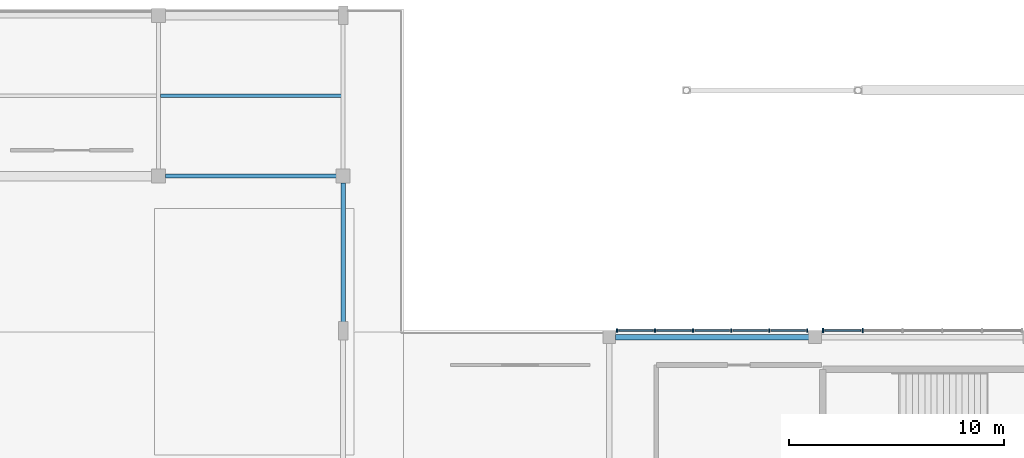
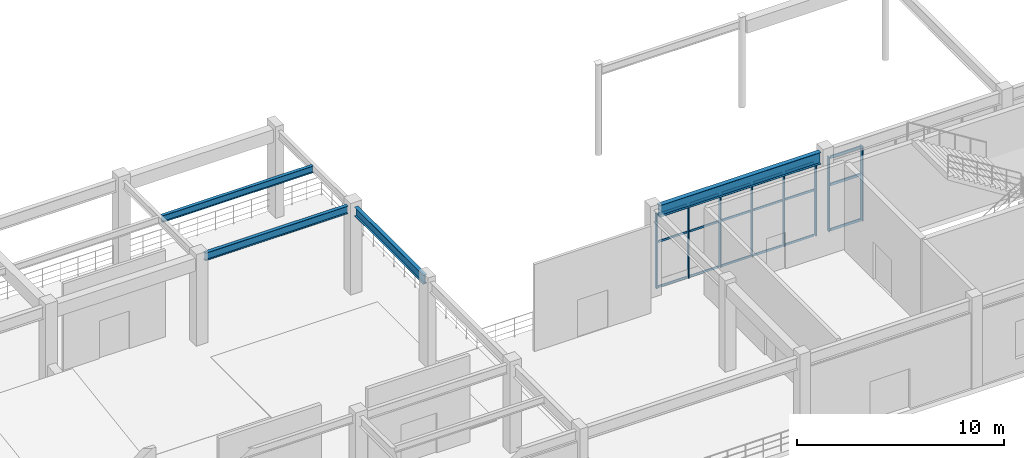
# One storey, part 19 of 93: 26 members, 4 beams, 2 elements without a shape of their own.
"""IFC4 building model written with IfcOpenShell, lengths in metres."""

from ifc_helpers import new_model, si_unit, direction, frame, origin, origin_2d, place, context, subcontext, project, spatial, rectangle, i_section, extrude, material, material_profile, profile_set, type_object, element, aggregate, save


model = new_model("IFC4")

# Units and contexts
model_context = context("Model", 3, precision=1e-05, world=origin(), true_north=direction((0.0, 1.0)))
body_context = subcontext(model_context, "Body", "Model", "MODEL_VIEW")
ifc_project = project(units=[si_unit("LENGTHUNIT", "METRE"), si_unit("AREAUNIT", "SQUARE_METRE"), si_unit("VOLUMEUNIT", "CUBIC_METRE"), si_unit("PLANEANGLEUNIT", "RADIAN"), si_unit("MASSUNIT", "GRAM", prefix="KILO")], contexts=[model_context])

# Site, building, storey
site_placement = place(None, origin())
site = spatial("IfcSite", under=ifc_project, at=site_placement, CompositionType="ELEMENT")
building_placement = place(site_placement, origin())
building = spatial("IfcBuilding", under=site, at=building_placement, Name="Cinderbank Siding Concert Hall", CompositionType="ELEMENT")
storey_placement = place(building_placement, origin())
storey = spatial("IfcBuildingStorey", under=building, at=storey_placement, Name="L01", CompositionType="ELEMENT", Elevation=0.0)

# Beams
ifc_material_1 = material(Name="Structural steel AS/NZS 3679.1 Grade 350 (340 MPa)", Category="steel")
ifc_material_profile_1 = material_profile(ifc_material_1, i_section(OverallWidth=0.18994140625, OverallDepth=0.45751953125, WebThickness=0.009033203125, FlangeThickness=0.014404296875, at=origin_2d()), Name="460UB74.6", Category="LoadBearing")
ifc_profile_set_1 = profile_set([ifc_material_profile_1], Name="Structural steel AS/NZS 3679.1 Grade 350 (340 MPa)")
beam_type_1 = type_object("IfcBeamType", Name="BM-UB460 460UB74.6", PredefinedType="BEAM", material=ifc_profile_set_1)
beam_1_placement = place(storey_placement, frame((37.717041015625, 28.0, 4.893310546875), z_axis=(1.0, 0.0, 0.0), x_axis=(0.0, 1.0, 0.0)))
element("IfcBeam", 1, at=beam_1_placement, inside=storey, type_object=beam_type_1, Name="L01 Beam BM-UB460 #1306", PredefinedType="BEAM", context=body_context, shape_type="SweptSolid", body=[
    extrude(i_section(OverallWidth=0.18994140625, OverallDepth=0.45751953125, WebThickness=0.009033203125, FlangeThickness=0.014404296875, at=origin_2d()), origin(), (0.0, 0.0, 1.0), 7.966064453125),
])
ifc_material_profile_2 = material_profile(ifc_material_1, i_section(OverallWidth=0.208984375, OverallDepth=0.5283203125, WebThickness=0.009521484375, FlangeThickness=0.01318359375, at=origin_2d()), Name="530UB82.0", Category="LoadBearing")
ifc_profile_set_2 = profile_set([ifc_material_profile_2], Name="Structural steel AS/NZS 3679.1 Grade 350 (340 MPa)")
beam_type_2 = type_object("IfcBeamType", Name="BM-UB530 530UB82.0", PredefinedType="BEAM", material=ifc_profile_set_2)
beam_2_placement = place(storey_placement, frame((46.0, 21.01708984375, 4.85791015625), z_axis=(0.0, 1.0, 0.0), x_axis=(-1.0, 0.0, 0.0)))
element("IfcBeam", 2, at=beam_2_placement, inside=storey, type_object=beam_type_2, Name="L01 Beam BM-UB530 #1312", PredefinedType="BEAM", context=body_context, shape_type="SweptSolid", body=[
    extrude(i_section(OverallWidth=0.208984375, OverallDepth=0.5283203125, WebThickness=0.009521484375, FlangeThickness=0.01318359375, at=origin_2d()), origin(), (0.0, 0.0, 1.0), 6.666015625),
])
ifc_material_2 = material(Name="Structural steel welded plate section AS/NZS 3679.2 / AS/NZS 3678 Grade 350 (340 MPa)", Category="steel")
ifc_material_profile_3 = material_profile(ifc_material_2, i_section(OverallWidth=0.25, OverallDepth=0.699951171875, WebThickness=0.010009765625, FlangeThickness=0.01611328125, at=origin_2d()), Name="700WB130", Category="LoadBearing")
ifc_profile_set_3 = profile_set([ifc_material_profile_3], Name="Structural steel welded plate section AS/NZS 3679.2 / AS/NZS 3678 Grade 350 (340 MPa)")
beam_type_3 = type_object("IfcBeamType", Name="BM-WB700 700WB130", PredefinedType="BEAM", material=ifc_profile_set_3)
beam_3_placement = place(storey_placement, frame((58.69189453125, 20.5, 4.7919921875), z_axis=(1.0, 0.0, 0.0), x_axis=(0.0, 1.0, 0.0)))
element("IfcBeam", 3, at=beam_3_placement, inside=storey, type_object=beam_type_3, Name="L01 Beam BM-WB700 #1398", PredefinedType="BEAM", context=body_context, shape_type="SweptSolid", body=[
    extrude(i_section(OverallWidth=0.25, OverallDepth=0.699951171875, WebThickness=0.010009765625, FlangeThickness=0.01611328125, at=origin_2d()), origin(), (0.0, 0.0, 1.0), 9.01611328125),
])

# Curtain wall, members
ifc_material_3 = material(Name="Anodised aluminium alloy 6063-T6", Category="aluminium")
curtain_wall_type = type_object("IfcCurtainWallType", Name="CW-16 Unitised Acoustic Curtain Wall 9200x3800", PredefinedType="NOTDEFINED", material=ifc_material_3)
curtain_wall_1_placement = place(storey_placement, origin())
curtain_wall_1 = element("IfcCurtainWall", 4, at=curtain_wall_1_placement, inside=storey, type_object=curtain_wall_type, Name="L01 Curtain Wall CW-16 #138", PredefinedType="NOTDEFINED")
ifc_material_profile_4 = material_profile(ifc_material_3, rectangle(XDim=0.06005859375, YDim=0.159912109375, at=origin_2d()), Name="ALU-MULL-60x160", Category="LoadBearing")
ifc_profile_set_4 = profile_set([ifc_material_profile_4], Name="Anodised aluminium alloy 6063-T6")
member_type_1 = type_object("IfcMemberType", Name="CW-ML1 Mullion 60x160", PredefinedType="MULLION", material=ifc_profile_set_4)
member_1_placement = place(storey_placement, frame((58.764892578125, 20.800048828125, 0.0), z_axis=(0.0, 0.0, 1.0), x_axis=(1.0, 0.0, 0.0)))
member_1 = element("IfcMember", 5, at=member_1_placement, type_object=member_type_1, Name="CW-L01-138 Mullion 0", PredefinedType="MULLION", context=body_context, shape_type="SweptSolid", body=[
    extrude(rectangle(XDim=0.06005859375, YDim=0.159912109375, at=origin_2d()), origin(), (0.0, 0.0, 1.0), 4.39990234375),
])
member_2_placement = place(storey_placement, frame((60.5390625, 20.800048828125, 0.0), z_axis=(0.0, 0.0, 1.0), x_axis=(1.0, 0.0, 0.0)))
member_2 = element("IfcMember", 6, at=member_2_placement, type_object=member_type_1, Name="CW-L01-138 Mullion 1", PredefinedType="MULLION", context=body_context, shape_type="SweptSolid", body=[
    extrude(rectangle(XDim=0.06005859375, YDim=0.159912109375, at=origin_2d()), origin(), (0.0, 0.0, 1.0), 4.39990234375),
])
member_3_placement = place(storey_placement, frame((62.31298828125, 20.800048828125, 0.0), z_axis=(0.0, 0.0, 1.0), x_axis=(1.0, 0.0, 0.0)))
member_3 = element("IfcMember", 7, at=member_3_placement, type_object=member_type_1, Name="CW-L01-138 Mullion 2", PredefinedType="MULLION", context=body_context, shape_type="SweptSolid", body=[
    extrude(rectangle(XDim=0.06005859375, YDim=0.159912109375, at=origin_2d()), origin(), (0.0, 0.0, 1.0), 4.39990234375),
])
member_4_placement = place(storey_placement, frame((64.0869140625, 20.800048828125, 0.0), z_axis=(0.0, 0.0, 1.0), x_axis=(1.0, 0.0, 0.0)))
member_4 = element("IfcMember", 8, at=member_4_placement, type_object=member_type_1, Name="CW-L01-138 Mullion 3", PredefinedType="MULLION", context=body_context, shape_type="SweptSolid", body=[
    extrude(rectangle(XDim=0.06005859375, YDim=0.159912109375, at=origin_2d()), origin(), (0.0, 0.0, 1.0), 4.39990234375),
])
member_5_placement = place(storey_placement, frame((65.861083984375, 20.800048828125, 0.0), z_axis=(0.0, 0.0, 1.0), x_axis=(1.0, 0.0, 0.0)))
member_5 = element("IfcMember", 9, at=member_5_placement, type_object=member_type_1, Name="CW-L01-138 Mullion 4", PredefinedType="MULLION", context=body_context, shape_type="SweptSolid", body=[
    extrude(rectangle(XDim=0.06005859375, YDim=0.159912109375, at=origin_2d()), origin(), (0.0, 0.0, 1.0), 4.39990234375),
])
member_6_placement = place(storey_placement, frame((67.635009765625, 20.800048828125, 0.0), z_axis=(0.0, 0.0, 1.0), x_axis=(1.0, 0.0, 0.0)))
member_6 = element("IfcMember", 10, at=member_6_placement, type_object=member_type_1, Name="CW-L01-138 Mullion 5", PredefinedType="MULLION", context=body_context, shape_type="SweptSolid", body=[
    extrude(rectangle(XDim=0.06005859375, YDim=0.159912109375, at=origin_2d()), origin(), (0.0, 0.0, 1.0), 4.39990234375),
])

curtain_wall_2_placement = place(storey_placement, origin())
curtain_wall_2 = element("IfcCurtainWall", 11, at=curtain_wall_2_placement, inside=storey, type_object=curtain_wall_type, Name="L01 Curtain Wall CW-16 #139", PredefinedType="NOTDEFINED")
ifc_material_profile_5 = material_profile(ifc_material_3, rectangle(XDim=0.06494140625, YDim=0.199951171875, at=origin_2d()), Name="ALU-MULL-65x200", Category="LoadBearing")
ifc_profile_set_5 = profile_set([ifc_material_profile_5], Name="Anodised aluminium alloy 6063-T6")
member_type_2 = type_object("IfcMemberType", Name="CW-ML2 Mullion 65x200", PredefinedType="MULLION", material=ifc_profile_set_5)
member_7_placement = place(storey_placement, frame((68.364990234375, 20.800048828125, 0.0), z_axis=(0.0, 0.0, 1.0), x_axis=(1.0, 0.0, 0.0)))
member_7 = element("IfcMember", 12, at=member_7_placement, type_object=member_type_2, Name="CW-L01-139 Mullion 0", PredefinedType="MULLION", context=body_context, shape_type="SweptSolid", body=[
    extrude(rectangle(XDim=0.06494140625, YDim=0.199951171875, at=origin_2d()), origin(), (0.0, 0.0, 1.0), 4.39990234375),
])
member_8_placement = place(storey_placement, frame((70.218994140625, 20.800048828125, 0.0), z_axis=(0.0, 0.0, 1.0), x_axis=(1.0, 0.0, 0.0)))
member_8 = element("IfcMember", 13, at=member_8_placement, type_object=member_type_2, Name="CW-L01-139 Mullion 1", PredefinedType="MULLION", context=body_context, shape_type="SweptSolid", body=[
    extrude(rectangle(XDim=0.06494140625, YDim=0.199951171875, at=origin_2d()), origin(), (0.0, 0.0, 1.0), 4.39990234375),
])

# Member
ifc_material_profile_6 = material_profile(ifc_material_3, rectangle(XDim=0.06005859375, YDim=0.1201171875, at=origin_2d()), Name="ALU-TRAN-60x120", Category="LoadBearing")
ifc_profile_set_6 = profile_set([ifc_material_profile_6], Name="Anodised aluminium alloy 6063-T6")
member_type_3 = type_object("IfcMemberType", Name="CW-TR1 Transom 60x120", PredefinedType="USERDEFINED", material=ifc_profile_set_6)
member_9_placement = place(storey_placement, frame((58.853759765625, 20.800048828125, 0.06005859375), z_axis=(1.0, 0.0, 0.0), x_axis=(0.0, 1.0, 0.0)))
member_9 = element("IfcMember", 14, at=member_9_placement, type_object=member_type_3, Name="CW-L01-138 Transom 0-0", ObjectType="TRANSOM", PredefinedType="USERDEFINED", context=body_context, shape_type="SweptSolid", body=[
    extrude(rectangle(XDim=0.06005859375, YDim=0.1201171875, at=origin_2d()), origin(), (0.0, 0.0, 1.0), 1.596435546875),
])

member_10_placement = place(storey_placement, frame((58.853759765625, 20.800048828125, 2.72802734375), z_axis=(1.0, 0.0, 0.0), x_axis=(0.0, 1.0, 0.0)))
member_10 = element("IfcMember", 15, at=member_10_placement, type_object=member_type_3, Name="CW-L01-138 Transom 0-1", ObjectType="TRANSOM", PredefinedType="USERDEFINED", context=body_context, shape_type="SweptSolid", body=[
    extrude(rectangle(XDim=0.06005859375, YDim=0.1201171875, at=origin_2d()), origin(), (0.0, 0.0, 1.0), 1.596435546875),
])

member_11_placement = place(storey_placement, frame((58.853759765625, 20.800048828125, 4.340087890625), z_axis=(1.0, 0.0, 0.0), x_axis=(0.0, 1.0, 0.0)))
member_11 = element("IfcMember", 16, at=member_11_placement, type_object=member_type_3, Name="CW-L01-138 Transom 0-2", ObjectType="TRANSOM", PredefinedType="USERDEFINED", context=body_context, shape_type="SweptSolid", body=[
    extrude(rectangle(XDim=0.06005859375, YDim=0.1201171875, at=origin_2d()), origin(), (0.0, 0.0, 1.0), 1.596435546875),
])

member_12_placement = place(storey_placement, frame((60.627685546875, 20.800048828125, 0.06005859375), z_axis=(1.0, 0.0, 0.0), x_axis=(0.0, 1.0, 0.0)))
member_12 = element("IfcMember", 17, at=member_12_placement, type_object=member_type_3, Name="CW-L01-138 Transom 1-0", ObjectType="TRANSOM", PredefinedType="USERDEFINED", context=body_context, shape_type="SweptSolid", body=[
    extrude(rectangle(XDim=0.06005859375, YDim=0.1201171875, at=origin_2d()), origin(), (0.0, 0.0, 1.0), 1.5966796875),
])

member_13_placement = place(storey_placement, frame((60.627685546875, 20.800048828125, 2.72802734375), z_axis=(1.0, 0.0, 0.0), x_axis=(0.0, 1.0, 0.0)))
member_13 = element("IfcMember", 18, at=member_13_placement, type_object=member_type_3, Name="CW-L01-138 Transom 1-1", ObjectType="TRANSOM", PredefinedType="USERDEFINED", context=body_context, shape_type="SweptSolid", body=[
    extrude(rectangle(XDim=0.06005859375, YDim=0.1201171875, at=origin_2d()), origin(), (0.0, 0.0, 1.0), 1.5966796875),
])

member_14_placement = place(storey_placement, frame((60.627685546875, 20.800048828125, 4.340087890625), z_axis=(1.0, 0.0, 0.0), x_axis=(0.0, 1.0, 0.0)))
member_14 = element("IfcMember", 19, at=member_14_placement, type_object=member_type_3, Name="CW-L01-138 Transom 1-2", ObjectType="TRANSOM", PredefinedType="USERDEFINED", context=body_context, shape_type="SweptSolid", body=[
    extrude(rectangle(XDim=0.06005859375, YDim=0.1201171875, at=origin_2d()), origin(), (0.0, 0.0, 1.0), 1.5966796875),
])

member_15_placement = place(storey_placement, frame((62.401611328125, 20.800048828125, 0.06005859375), z_axis=(1.0, 0.0, 0.0), x_axis=(0.0, 1.0, 0.0)))
member_15 = element("IfcMember", 20, at=member_15_placement, type_object=member_type_3, Name="CW-L01-138 Transom 2-0", ObjectType="TRANSOM", PredefinedType="USERDEFINED", context=body_context, shape_type="SweptSolid", body=[
    extrude(rectangle(XDim=0.06005859375, YDim=0.1201171875, at=origin_2d()), origin(), (0.0, 0.0, 1.0), 1.5966796875),
])

member_16_placement = place(storey_placement, frame((62.401611328125, 20.800048828125, 2.72802734375), z_axis=(1.0, 0.0, 0.0), x_axis=(0.0, 1.0, 0.0)))
member_16 = element("IfcMember", 21, at=member_16_placement, type_object=member_type_3, Name="CW-L01-138 Transom 2-1", ObjectType="TRANSOM", PredefinedType="USERDEFINED", context=body_context, shape_type="SweptSolid", body=[
    extrude(rectangle(XDim=0.06005859375, YDim=0.1201171875, at=origin_2d()), origin(), (0.0, 0.0, 1.0), 1.5966796875),
])

member_17_placement = place(storey_placement, frame((62.401611328125, 20.800048828125, 4.340087890625), z_axis=(1.0, 0.0, 0.0), x_axis=(0.0, 1.0, 0.0)))
member_17 = element("IfcMember", 22, at=member_17_placement, type_object=member_type_3, Name="CW-L01-138 Transom 2-2", ObjectType="TRANSOM", PredefinedType="USERDEFINED", context=body_context, shape_type="SweptSolid", body=[
    extrude(rectangle(XDim=0.06005859375, YDim=0.1201171875, at=origin_2d()), origin(), (0.0, 0.0, 1.0), 1.5966796875),
])

member_18_placement = place(storey_placement, frame((64.17578125, 20.800048828125, 0.06005859375), z_axis=(1.0, 0.0, 0.0), x_axis=(0.0, 1.0, 0.0)))
member_18 = element("IfcMember", 23, at=member_18_placement, type_object=member_type_3, Name="CW-L01-138 Transom 3-0", ObjectType="TRANSOM", PredefinedType="USERDEFINED", context=body_context, shape_type="SweptSolid", body=[
    extrude(rectangle(XDim=0.06005859375, YDim=0.1201171875, at=origin_2d()), origin(), (0.0, 0.0, 1.0), 1.596435546875),
])

member_19_placement = place(storey_placement, frame((64.17578125, 20.800048828125, 2.72802734375), z_axis=(1.0, 0.0, 0.0), x_axis=(0.0, 1.0, 0.0)))
member_19 = element("IfcMember", 24, at=member_19_placement, type_object=member_type_3, Name="CW-L01-138 Transom 3-1", ObjectType="TRANSOM", PredefinedType="USERDEFINED", context=body_context, shape_type="SweptSolid", body=[
    extrude(rectangle(XDim=0.06005859375, YDim=0.1201171875, at=origin_2d()), origin(), (0.0, 0.0, 1.0), 1.596435546875),
])

member_20_placement = place(storey_placement, frame((64.17578125, 20.800048828125, 4.340087890625), z_axis=(1.0, 0.0, 0.0), x_axis=(0.0, 1.0, 0.0)))
member_20 = element("IfcMember", 25, at=member_20_placement, type_object=member_type_3, Name="CW-L01-138 Transom 3-2", ObjectType="TRANSOM", PredefinedType="USERDEFINED", context=body_context, shape_type="SweptSolid", body=[
    extrude(rectangle(XDim=0.06005859375, YDim=0.1201171875, at=origin_2d()), origin(), (0.0, 0.0, 1.0), 1.596435546875),
])

member_21_placement = place(storey_placement, frame((65.94970703125, 20.800048828125, 0.06005859375), z_axis=(1.0, 0.0, 0.0), x_axis=(0.0, 1.0, 0.0)))
member_21 = element("IfcMember", 26, at=member_21_placement, type_object=member_type_3, Name="CW-L01-138 Transom 4-0", ObjectType="TRANSOM", PredefinedType="USERDEFINED", context=body_context, shape_type="SweptSolid", body=[
    extrude(rectangle(XDim=0.06005859375, YDim=0.1201171875, at=origin_2d()), origin(), (0.0, 0.0, 1.0), 1.5966796875),
])

member_22_placement = place(storey_placement, frame((65.94970703125, 20.800048828125, 2.72802734375), z_axis=(1.0, 0.0, 0.0), x_axis=(0.0, 1.0, 0.0)))
member_22 = element("IfcMember", 27, at=member_22_placement, type_object=member_type_3, Name="CW-L01-138 Transom 4-1", ObjectType="TRANSOM", PredefinedType="USERDEFINED", context=body_context, shape_type="SweptSolid", body=[
    extrude(rectangle(XDim=0.06005859375, YDim=0.1201171875, at=origin_2d()), origin(), (0.0, 0.0, 1.0), 1.5966796875),
])

member_23_placement = place(storey_placement, frame((65.94970703125, 20.800048828125, 4.340087890625), z_axis=(1.0, 0.0, 0.0), x_axis=(0.0, 1.0, 0.0)))
member_23 = element("IfcMember", 28, at=member_23_placement, type_object=member_type_3, Name="CW-L01-138 Transom 4-2", ObjectType="TRANSOM", PredefinedType="USERDEFINED", context=body_context, shape_type="SweptSolid", body=[
    extrude(rectangle(XDim=0.06005859375, YDim=0.1201171875, at=origin_2d()), origin(), (0.0, 0.0, 1.0), 1.5966796875),
])

aggregate(curtain_wall_1, [member_1, member_2, member_3, member_4, member_5, member_6, member_9, member_10, member_11, member_12, member_13, member_14, member_15, member_16, member_17, member_18, member_19, member_20, member_21, member_22, member_23])

ifc_material_profile_7 = material_profile(ifc_material_3, rectangle(XDim=0.06494140625, YDim=0.14990234375, at=origin_2d()), Name="ALU-TRAN-65x150", Category="LoadBearing")
ifc_profile_set_7 = profile_set([ifc_material_profile_7], Name="Anodised aluminium alloy 6063-T6")
member_type_4 = type_object("IfcMemberType", Name="CW-TR2 Transom 65x150", PredefinedType="USERDEFINED", material=ifc_profile_set_7)
member_24_placement = place(storey_placement, frame((68.457763671875, 20.800048828125, 0.06005859375), z_axis=(1.0, 0.0, 0.0), x_axis=(0.0, 1.0, 0.0)))
member_24 = element("IfcMember", 29, at=member_24_placement, type_object=member_type_4, Name="CW-L01-139 Transom 0-0", ObjectType="TRANSOM", PredefinedType="USERDEFINED", context=body_context, shape_type="SweptSolid", body=[
    extrude(rectangle(XDim=0.06494140625, YDim=0.14990234375, at=origin_2d()), origin(), (0.0, 0.0, 1.0), 1.66845703125),
])

member_25_placement = place(storey_placement, frame((68.457763671875, 20.800048828125, 2.72802734375), z_axis=(1.0, 0.0, 0.0), x_axis=(0.0, 1.0, 0.0)))
member_25 = element("IfcMember", 30, at=member_25_placement, type_object=member_type_4, Name="CW-L01-139 Transom 0-1", ObjectType="TRANSOM", PredefinedType="USERDEFINED", context=body_context, shape_type="SweptSolid", body=[
    extrude(rectangle(XDim=0.06494140625, YDim=0.14990234375, at=origin_2d()), origin(), (0.0, 0.0, 1.0), 1.66845703125),
])

member_26_placement = place(storey_placement, frame((68.457763671875, 20.800048828125, 4.340087890625), z_axis=(1.0, 0.0, 0.0), x_axis=(0.0, 1.0, 0.0)))
member_26 = element("IfcMember", 31, at=member_26_placement, type_object=member_type_4, Name="CW-L01-139 Transom 0-2", ObjectType="TRANSOM", PredefinedType="USERDEFINED", context=body_context, shape_type="SweptSolid", body=[
    extrude(rectangle(XDim=0.06494140625, YDim=0.14990234375, at=origin_2d()), origin(), (0.0, 0.0, 1.0), 1.66845703125),
])

aggregate(curtain_wall_2, [member_7, member_8, member_24, member_25, member_26])

# Beam
ifc_material_profile_8 = material_profile(ifc_material_1, i_section(OverallWidth=0.177978515625, OverallDepth=0.402587890625, WebThickness=0.007568359375, FlangeThickness=0.010986328125, at=origin_2d()), Name="410UB53.7", Category="LoadBearing")
ifc_profile_set_8 = profile_set([ifc_material_profile_8], Name="Structural steel AS/NZS 3679.1 Grade 350 (340 MPa)")
beam_type_4 = type_object("IfcBeamType", Name="JS-UB410 410UB53.7", PredefinedType="JOIST", material=ifc_profile_set_8)
beam_4_placement = place(storey_placement, frame((37.487060546875, 31.75, 4.920654296875), z_axis=(1.0, 0.0, 0.0), x_axis=(0.0, 1.0, 0.0)))
element("IfcBeam", 32, at=beam_4_placement, inside=storey, type_object=beam_type_4, Name="L01 Beam JS-UB410 #1453", PredefinedType="JOIST", context=body_context, shape_type="SweptSolid", body=[
    extrude(i_section(OverallWidth=0.177978515625, OverallDepth=0.402587890625, WebThickness=0.007568359375, FlangeThickness=0.010986328125, at=origin_2d()), origin(), (0.0, 0.0, 1.0), 8.426025390625),
])

save(model, "model.ifc")
